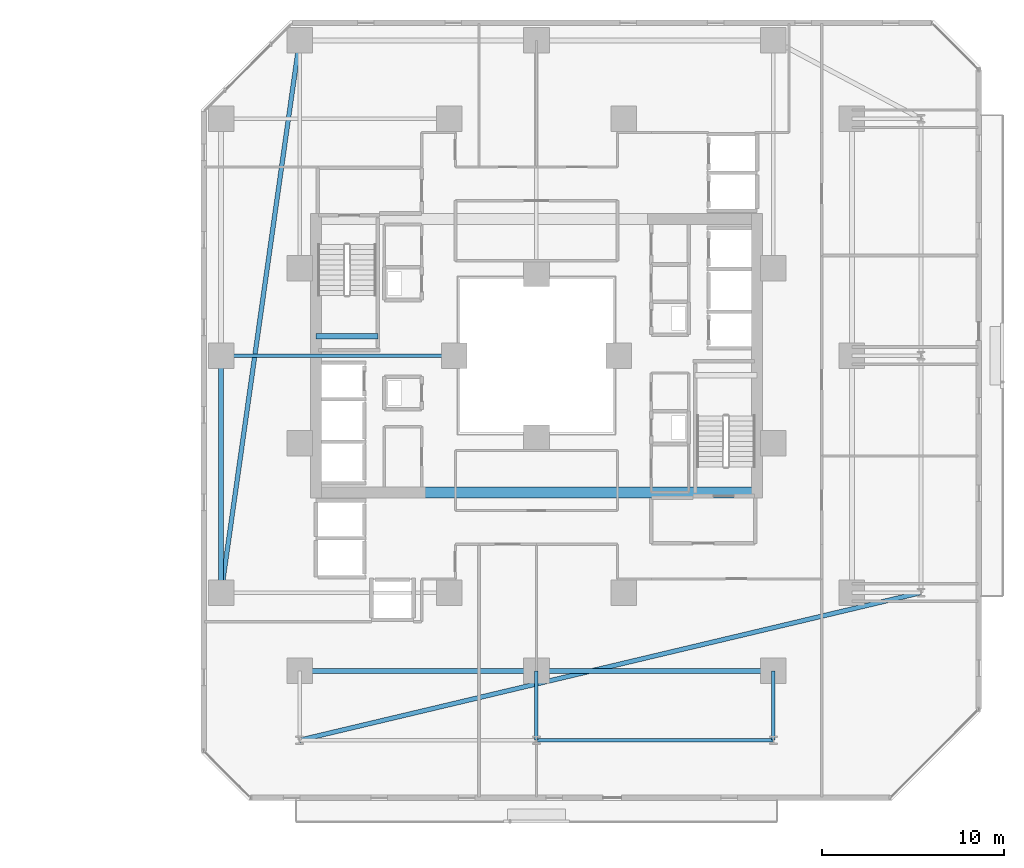
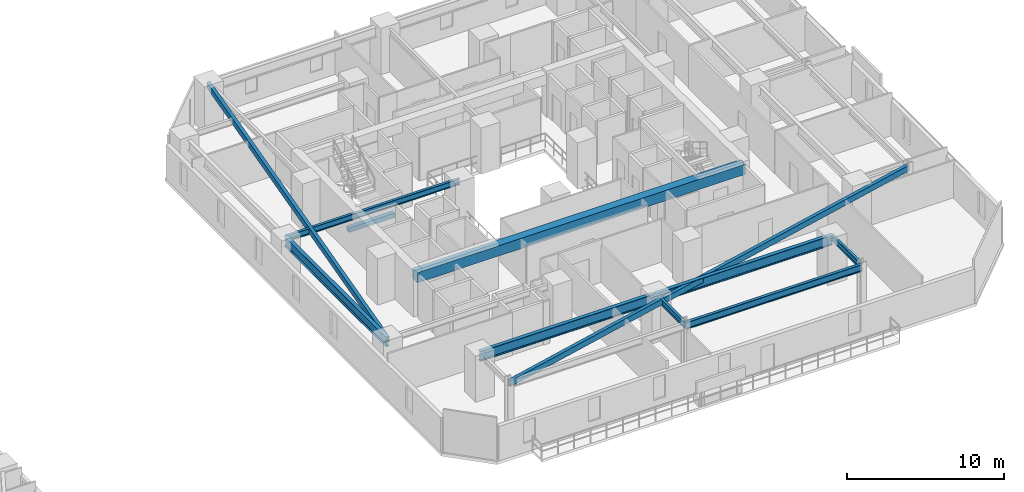
# One storey, part 11 of 33: 11 beams.
"""IFC4 building model written with IfcOpenShell, lengths in metres."""

from ifc_helpers import new_model, si_unit, direction, frame, origin, origin_2d, place, context, subcontext, project, spatial, rectangle, hollow_rectangle, i_section, extrude, material, material_profile, profile_set, type_object, element, save


model = new_model("IFC4")

# Units and contexts
model_context = context("Model", 3, precision=1e-05, world=origin(), true_north=direction((0.0, 1.0)))
body_context = subcontext(model_context, "Body", "Model", "MODEL_VIEW")
ifc_project = project(units=[si_unit("LENGTHUNIT", "METRE"), si_unit("AREAUNIT", "SQUARE_METRE"), si_unit("VOLUMEUNIT", "CUBIC_METRE"), si_unit("PLANEANGLEUNIT", "RADIAN"), si_unit("MASSUNIT", "GRAM", prefix="KILO")], contexts=[model_context])

# Site, building, storey
site_placement = place(None, origin())
site = spatial("IfcSite", under=ifc_project, at=site_placement, CompositionType="ELEMENT")
building_placement = place(site_placement, origin())
building = spatial("IfcBuilding", under=site, at=building_placement, Name="Thornwick Lancets Civic Towers", CompositionType="ELEMENT")
storey_placement = place(building_placement, frame((0.0, 0.0, 42.300048828125)))
storey = spatial("IfcBuildingStorey", under=building, at=storey_placement, Name="L10", CompositionType="ELEMENT", Elevation=42.300048828125)

# Beams
ifc_material_1 = material(Name="Concrete C60/75", Category="concrete")
ifc_material_profile_1 = material_profile(ifc_material_1, rectangle(XDim=0.60009765625, YDim=0.800048828125, at=origin_2d()), Name="RC 600x800")
ifc_profile_set_1 = profile_set([ifc_material_profile_1], Name="Concrete C60/75")
beam_type_1 = type_object("IfcBeamType", Name="BM_COUP_RC800", PredefinedType="BEAM", material=ifc_profile_set_1)
beam_1_placement = place(storey_placement, frame((76.39990234375, 19.5, 2.9599609375), z_axis=(1.0, 0.0, 0.0), x_axis=(0.0, 1.0, 0.0)))
element("IfcBeam", 1, at=beam_1_placement, inside=storey, type_object=beam_type_1, Name="CB-L10-B2", PredefinedType="BEAM", context=body_context, shape_type="SweptSolid", body=[
    extrude(rectangle(XDim=0.60009765625, YDim=0.800048828125, at=origin_2d()), origin(), (0.0, 0.0, 1.0), 24.2001953125),
])
ifc_material_2 = material(Name="Steel S355JR", Category="steel")
ifc_material_profile_2 = material_profile(ifc_material_2, i_section(OverallWidth=0.2119140625, OverallDepth=0.54443359375, WebThickness=0.0126953125, FlangeThickness=0.021240234375, FilletRadius=0.0126953125, at=origin_2d()), Name="UKB 533x210x122")
ifc_profile_set_2 = profile_set([ifc_material_profile_2], Name="Steel S355JR")
beam_type_2 = type_object("IfcBeamType", Name="BM_EDGE_533_122", PredefinedType="SPANDREL", material=ifc_profile_set_2)
beam_2_placement = place(storey_placement, frame((101.5, 5.89990234375, 3.087646484375), z_axis=(-1.0, 0.0, 0.0), x_axis=(0.0, -1.0, 0.0)))
element("IfcBeam", 2, at=beam_2_placement, inside=storey, type_object=beam_type_2, Name="BM-EDGE-L10-B-S3-1", PredefinedType="SPANDREL", context=body_context, shape_type="SweptSolid", body=[
    extrude(i_section(OverallWidth=0.2119140625, OverallDepth=0.54443359375, WebThickness=0.0126953125, FlangeThickness=0.021240234375, FilletRadius=0.0126953125, at=origin_2d()), origin(), (0.0, 0.0, 1.0), 13.0),
])
ifc_material_profile_3 = material_profile(ifc_material_2, i_section(OverallWidth=0.26806640625, OverallDepth=0.769775390625, WebThickness=0.015625, FlangeThickness=0.025390625, FilletRadius=0.0166015625, at=origin_2d()), Name="UKB 762x267x197")
ifc_profile_set_3 = profile_set([ifc_material_profile_3], Name="Steel S355JR")
beam_type_3 = type_object("IfcBeamType", Name="BM_GIRD_762_197", PredefinedType="BEAM", material=ifc_profile_set_3)
for number, where, z_axis, x_axis, name in (
    (3, (71.199951171875, 14.0, 2.97509765625), (0.0, 1.0, 0.0), (-1.0, 0.0, 0.0), "BM-SPINE-L10-B-6-7"),
    (4, (101.5, 9.699951171875, 2.97509765625), (-1.0, 0.0, 0.0), (0.0, -1.0, 0.0), "BM-SPINE-L10-B-9-10"),
):
    element("IfcBeam", number, at=place(storey_placement, frame(where, z_axis=z_axis, x_axis=x_axis)), inside=storey, type_object=beam_type_3, Name=name, PredefinedType="BEAM", context=body_context, shape_type="SweptSolid", body=[
        extrude(i_section(OverallWidth=0.26806640625, OverallDepth=0.769775390625, WebThickness=0.015625, FlangeThickness=0.025390625, FilletRadius=0.0166015625, at=origin_2d()), origin(), (0.0, 0.0, 1.0), 13.0),
    ])
beam_3_placement = place(storey_placement, frame((88.419921875, 9.699951171875, 2.97509765625), z_axis=(-1.0, 0.0, 0.0), x_axis=(0.0, -1.0, 0.0)))
element("IfcBeam", 5, at=beam_3_placement, inside=storey, type_object=beam_type_3, Name="BM-SPINE-L10-B-10-11", PredefinedType="BEAM", context=body_context, shape_type="SweptSolid", body=[
    extrude(i_section(OverallWidth=0.26806640625, OverallDepth=0.769775390625, WebThickness=0.015625, FlangeThickness=0.025390625, FilletRadius=0.0166015625, at=origin_2d()), origin(), (0.0, 0.0, 1.0), 12.919921875),
])
ifc_material_profile_4 = material_profile(ifc_material_2, i_section(OverallWidth=0.19189453125, OverallDepth=0.46337890625, WebThickness=0.010498046875, FlangeThickness=0.017578125, FilletRadius=0.01025390625, at=origin_2d()), Name="UKB 457x191x89")
ifc_profile_set_4 = profile_set([ifc_material_profile_4], Name="Steel S355JR")
beam_type_4 = type_object("IfcBeamType", Name="BM_JOIST_457_89", PredefinedType="JOIST", material=ifc_profile_set_4)
beam_4_placement = place(storey_placement, frame((84.0, 27.0, 3.128173828125), z_axis=(-1.0, 0.0, 0.0), x_axis=(0.0, -1.0, 0.0)))
element("IfcBeam", 6, at=beam_4_placement, inside=storey, type_object=beam_type_4, Name="BM-RADIN-L10-B08", PredefinedType="JOIST", context=body_context, shape_type="SweptSolid", body=[
    extrude(i_section(OverallWidth=0.19189453125, OverallDepth=0.46337890625, WebThickness=0.010498046875, FlangeThickness=0.017578125, FilletRadius=0.01025390625, at=origin_2d()), origin(), (0.0, 0.0, 1.0), 12.800048828125),
])
for number, where, z_axis, x_axis, name in (
    (7, (101.5, 9.699951171875, 3.128173828125), (0.0, -1.0, 0.0), (1.0, 0.0, 0.0), "BM-RAD-L10-B10"),
    (8, (88.5, 9.699951171875, 3.128173828125), (0.0, -1.0, 0.0), (1.0, 0.0, 0.0), "BM-RAD-L10-B11"),
):
    element("IfcBeam", number, at=place(storey_placement, frame(where, z_axis=z_axis, x_axis=x_axis)), inside=storey, type_object=beam_type_4, Name=name, PredefinedType="JOIST", context=body_context, shape_type="SweptSolid", body=[
        extrude(i_section(OverallWidth=0.19189453125, OverallDepth=0.46337890625, WebThickness=0.010498046875, FlangeThickness=0.017578125, FilletRadius=0.01025390625, at=origin_2d()), origin(), (0.0, 0.0, 1.0), 3.800048828125),
    ])
ifc_material_profile_5 = material_profile(ifc_material_2, hollow_rectangle(XDim=0.25, YDim=0.449951171875, WallThickness=0.01611328125, at=origin_2d()), Name="RHS 450x250x16")
ifc_profile_set_5 = profile_set([ifc_material_profile_5], Name="Steel S355JR")
beam_type_5 = type_object("IfcBeamType", Name="BM_RING_RHS450", PredefinedType="BEAM", material=ifc_profile_set_5)
beam_5_placement = place(storey_placement, frame((75.5, 44.300048828125, 3.135009765625), z_axis=(-0.140507712682, -0.990079584012, 0.0), x_axis=(0.990079584012, -0.140507712682, 0.0)))
element("IfcBeam", 9, at=beam_5_placement, inside=storey, type_object=beam_type_5, Name="BM-CHAMF-L10-B-C1", PredefinedType="BEAM", context=body_context, shape_type="SweptSolid", body=[
    extrude(hollow_rectangle(XDim=0.25, YDim=0.449951171875, WallThickness=0.01611328125, at=origin_2d()), origin(), (0.0, 0.0, 1.0), 30.603759765625),
])
beam_6_placement = place(storey_placement, frame((75.5, 5.89990234375, 3.135009765625), z_axis=(0.972928054394, 0.231108201875, 0.0), x_axis=(-0.231108201875, 0.972928054394, 0.0)))
element("IfcBeam", 10, at=beam_6_placement, inside=storey, type_object=beam_type_5, Name="BM-CHAMF-L10-B-C3", PredefinedType="BEAM", context=body_context, shape_type="SweptSolid", body=[
    extrude(hollow_rectangle(XDim=0.25, YDim=0.449951171875, WallThickness=0.01611328125, at=origin_2d()), origin(), (0.0, 0.0, 1.0), 35.048828125),
])
ifc_material_3 = material(Name="Concrete C40/50", Category="concrete")
ifc_material_profile_6 = material_profile(ifc_material_3, rectangle(XDim=0.300048828125, YDim=0.35009765625, at=origin_2d()), Name="RC 300x350")
ifc_profile_set_6 = profile_set([ifc_material_profile_6], Name="Concrete C40/50")
beam_type_6 = type_object("IfcBeamType", Name="BM_STAIR_LDG", PredefinedType="BEAM", material=ifc_profile_set_6)
beam_7_placement = place(storey_placement, frame((76.39990234375, 28.06494140625, 1.3779296875), z_axis=(1.0, 0.0, 0.0), x_axis=(0.0, 1.0, 0.0)))
element("IfcBeam", 11, at=beam_7_placement, inside=storey, type_object=beam_type_6, Name="L10 ST-B2 Landing Support Beam 1", PredefinedType="BEAM", context=body_context, shape_type="SweptSolid", body=[
    extrude(rectangle(XDim=0.300048828125, YDim=0.35009765625, at=origin_2d()), origin(), (0.0, 0.0, 1.0), 3.400146484375),
])

save(model, "model.ifc")
